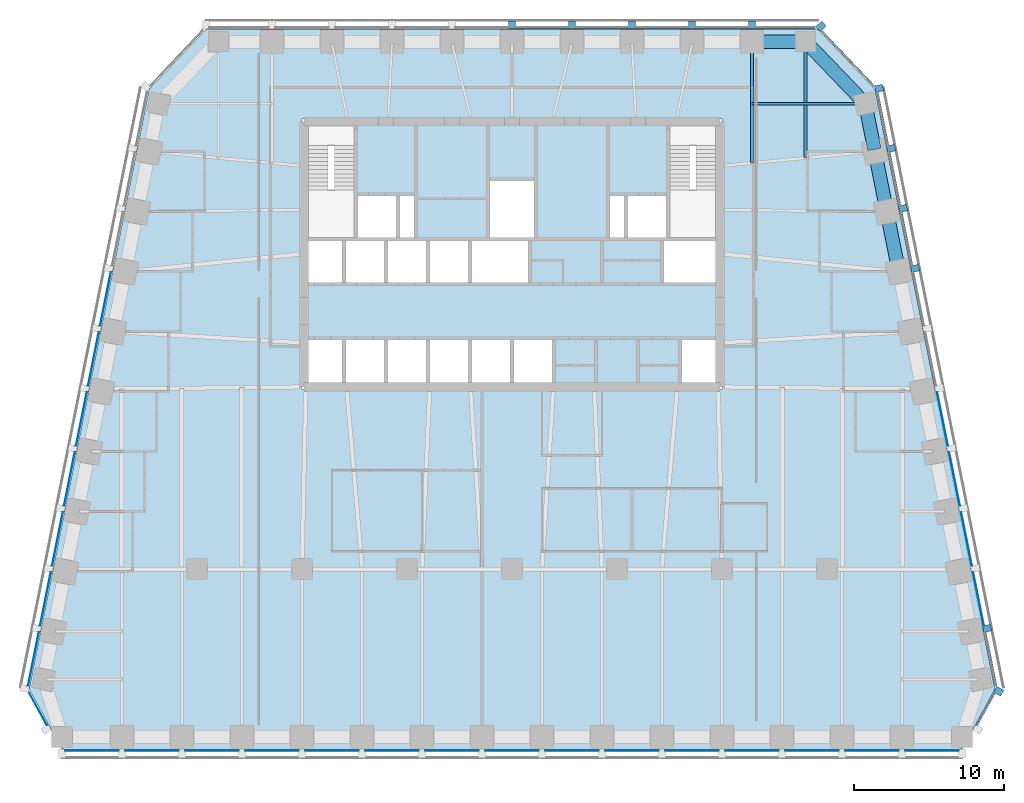
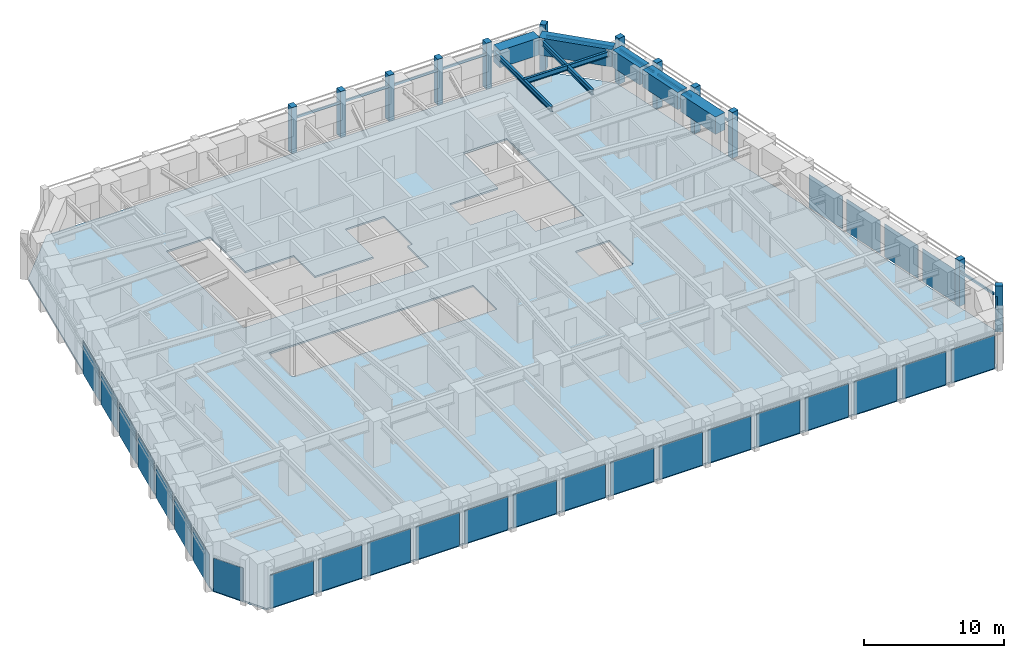
# One storey, part 4 of 10: 27 plates, 23 members, 8 beams, 1 slab, 7 elements without a shape of their own.
"""IFC4 building model written with IfcOpenShell, lengths in metres."""

from ifc_helpers import new_model, si_unit, direction, frame, origin, origin_2d, place, context, subcontext, project, spatial, polyline, rectangle, i_section, outline, extrude, material, layer, layer_set, material_profile, profile_set, type_object, element, aggregate, save


model = new_model("IFC4")

# Units and contexts
model_context = context("Model", 3, precision=1e-05, world=origin(), true_north=direction((0.0, 1.0)))
body_context = subcontext(model_context, "Body", "Model", "MODEL_VIEW")
ifc_project = project(units=[si_unit("LENGTHUNIT", "METRE"), si_unit("AREAUNIT", "SQUARE_METRE"), si_unit("VOLUMEUNIT", "CUBIC_METRE"), si_unit("PLANEANGLEUNIT", "RADIAN"), si_unit("MASSUNIT", "GRAM", prefix="KILO")], contexts=[model_context])

# Site, building, storey
site_placement = place(None, origin())
site = spatial("IfcSite", under=ifc_project, at=site_placement, CompositionType="ELEMENT")
building_placement = place(site_placement, origin())
building = spatial("IfcBuilding", under=site, at=building_placement, Name="Isbrekke Arena Tower", CompositionType="ELEMENT")
storey_placement = place(building_placement, frame((0.0, 0.0, 198.0)))
storey = spatial("IfcBuildingStorey", under=building, at=storey_placement, Name="L45", CompositionType="ELEMENT", Elevation=198.0)

# Beams
ifc_material_1 = material(Name="Steel S355", Category="steel")
ifc_material_profile_1 = material_profile(ifc_material_1, i_section(OverallWidth=0.18994140625, OverallDepth=0.449951171875, WebThickness=0.009521484375, FlangeThickness=0.0146484375, FilletRadius=0.02099609375, at=origin_2d()), Name="IPE 450")
ifc_profile_set_1 = profile_set([ifc_material_profile_1], Name="Steel S355")
beam_type_1 = type_object("IfcBeamType", Name="B2 IPE 450", PredefinedType="BEAM", material=ifc_profile_set_1)
beam_1_placement = place(storey_placement, frame((23.40283203125, 25.029296875, 3.625), z_axis=(-1.0, 0.0, 0.0), x_axis=(0.0, -1.0, 0.0)))
element("IfcBeam", 1, at=beam_1_placement, inside=storey, type_object=beam_type_1, Name="B2 beam E-E11 L45", PredefinedType="BEAM", context=body_context, shape_type="SweptSolid", body=[
    extrude(i_section(OverallWidth=0.18994140625, OverallDepth=0.449951171875, WebThickness=0.009521484375, FlangeThickness=0.0146484375, FilletRadius=0.02099609375, at=origin_2d()), origin(), (0.0, 0.0, 1.0), 7.40283203125),
])
ifc_material_2 = material(Name="Steel S355", Category="steel")
ifc_material_profile_2 = material_profile(ifc_material_2, i_section(OverallWidth=0.18994140625, OverallDepth=0.449951171875, WebThickness=0.009521484375, FlangeThickness=0.0146484375, FilletRadius=0.02099609375, at=origin_2d()), Name="IPE 450")
ifc_profile_set_2 = profile_set([ifc_material_profile_2], Name="Steel S355")
beam_type_2 = type_object("IfcBeamType", Name="B3 IPE 450", PredefinedType="BEAM", material=ifc_profile_set_2)
beam_2_placement = place(storey_placement, frame((19.574951171875, 29.02490234375, 3.625), z_axis=(0.0, -1.0, 0.0), x_axis=(1.0, 0.0, 0.0)))
element("IfcBeam", 2, at=beam_2_placement, inside=storey, type_object=beam_type_2, Name="B3 beam N-N01 L45", PredefinedType="BEAM", context=body_context, shape_type="SweptSolid", body=[
    extrude(i_section(OverallWidth=0.18994140625, OverallDepth=0.449951171875, WebThickness=0.009521484375, FlangeThickness=0.0146484375, FilletRadius=0.02099609375, at=origin_2d()), origin(), (0.0, 0.0, 1.0), 7.6103515625),
])
beam_3_placement = place(storey_placement, frame((16.0, 29.02490234375, 3.625), z_axis=(0.0, -1.0, 0.0), x_axis=(1.0, 0.0, 0.0)))
element("IfcBeam", 3, at=beam_3_placement, inside=storey, type_object=beam_type_2, Name="B3 beam N-N02 L45", PredefinedType="BEAM", context=body_context, shape_type="SweptSolid", body=[
    extrude(i_section(OverallWidth=0.18994140625, OverallDepth=0.449951171875, WebThickness=0.009521484375, FlangeThickness=0.0146484375, FilletRadius=0.02099609375, at=origin_2d()), origin(), (0.0, 0.0, 1.0), 7.949462890625),
])

# Curtain wall, member
ifc_material_3 = material(Name="Glazed aluminium curtain wall", Category="aluminium")
curtain_wall_type = type_object("IfcCurtainWallType", Name="CWH TOWER CURTAIN WALL HIGH ZONE", PredefinedType="USERDEFINED", material=ifc_material_3)
curtain_wall_1_placement = place(storey_placement, origin())
curtain_wall_1 = element("IfcCurtainWall", 4, at=curtain_wall_1_placement, inside=storey, type_object=curtain_wall_type, Name="CWH curtain wall L45-SE", ObjectType="TOWER CURTAIN WALL HIGH ZONE", PredefinedType="USERDEFINED")
ifc_material_4 = material(Name="Aluminium mullion, pale brick slip cladding", Category="masonry")
ifc_material_profile_3 = material_profile(ifc_material_4, rectangle(XDim=0.449951171875, YDim=0.550048828125, at=origin_2d()), Name="PIER 450X550")
ifc_profile_set_3 = profile_set([ifc_material_profile_3], Name="Aluminium mullion, pale brick slip cladding")
member_type_1 = type_object("IfcMemberType", Name="CWH-M PIER MULLION 450 x 550", PredefinedType="MULLION", material=ifc_profile_set_3)
member_1_placement = place(storey_placement, frame((32.44091796875, -14.132568359375, 0.0), z_axis=(0.0, 0.0, 1.0), x_axis=(0.481918749773, 0.876215908676, 0.0)))
member_1 = element("IfcMember", 5, at=member_1_placement, type_object=member_type_1, Name="CWH-M mullion 2", PredefinedType="MULLION", context=body_context, shape_type="SweptSolid", body=[
    extrude(rectangle(XDim=0.449951171875, YDim=0.550048828125, at=origin_2d()), origin(), (0.0, 0.0, 1.0), 4.0),
])

# Curtain wall, members
curtain_wall_2_placement = place(storey_placement, origin())
curtain_wall_2 = element("IfcCurtainWall", 6, at=curtain_wall_2_placement, inside=storey, type_object=curtain_wall_type, Name="CWH curtain wall L45-E", ObjectType="TOWER CURTAIN WALL HIGH ZONE", PredefinedType="USERDEFINED")
member_2_placement = place(storey_placement, frame((31.669677734375, -9.946044921875, 0.0), z_axis=(0.0, 0.0, 1.0), x_axis=(-0.196116135138, 0.980580675691, 0.0)))
member_2 = element("IfcMember", 7, at=member_2_placement, type_object=member_type_1, Name="CWH-M mullion 1", PredefinedType="MULLION", context=body_context, shape_type="SweptSolid", body=[
    extrude(rectangle(XDim=0.449951171875, YDim=0.550048828125, at=origin_2d()), origin(), (0.0, 0.0, 1.0), 4.0),
])
member_3_placement = place(storey_placement, frame((26.86962890625, 14.053955078125, 0.0), z_axis=(0.0, 0.0, 1.0), x_axis=(-0.196116135138, 0.980580675691, 0.0)))
member_3 = element("IfcMember", 8, at=member_3_placement, type_object=member_type_1, Name="CWH-M mullion 7", PredefinedType="MULLION", context=body_context, shape_type="SweptSolid", body=[
    extrude(rectangle(XDim=0.449951171875, YDim=0.550048828125, at=origin_2d()), origin(), (0.0, 0.0, 1.0), 4.0),
])
member_4_placement = place(storey_placement, frame((26.069580078125, 18.053955078125, 0.0), z_axis=(0.0, 0.0, 1.0), x_axis=(-0.196116135138, 0.980580675691, 0.0)))
member_4 = element("IfcMember", 9, at=member_4_placement, type_object=member_type_1, Name="CWH-M mullion 8", PredefinedType="MULLION", context=body_context, shape_type="SweptSolid", body=[
    extrude(rectangle(XDim=0.449951171875, YDim=0.550048828125, at=origin_2d()), origin(), (0.0, 0.0, 1.0), 4.0),
])
member_5_placement = place(storey_placement, frame((25.269775390625, 22.053955078125, 0.0), z_axis=(0.0, 0.0, 1.0), x_axis=(-0.196116135138, 0.980580675691, 0.0)))
member_5 = element("IfcMember", 10, at=member_5_placement, type_object=member_type_1, Name="CWH-M mullion 9", PredefinedType="MULLION", context=body_context, shape_type="SweptSolid", body=[
    extrude(rectangle(XDim=0.449951171875, YDim=0.550048828125, at=origin_2d()), origin(), (0.0, 0.0, 1.0), 4.0),
])
member_6_placement = place(storey_placement, frame((24.4697265625, 26.053955078125, 0.0), z_axis=(0.0, 0.0, 1.0), x_axis=(-0.196116135138, 0.980580675691, 0.0)))
member_6 = element("IfcMember", 11, at=member_6_placement, type_object=member_type_1, Name="CWH-M mullion 10", PredefinedType="MULLION", context=body_context, shape_type="SweptSolid", body=[
    extrude(rectangle(XDim=0.449951171875, YDim=0.550048828125, at=origin_2d()), origin(), (0.0, 0.0, 1.0), 4.0),
])

# Curtain wall, member
curtain_wall_3_placement = place(storey_placement, origin())
curtain_wall_3 = element("IfcCurtainWall", 12, at=curtain_wall_3_placement, inside=storey, type_object=curtain_wall_type, Name="CWH curtain wall L45-EN", ObjectType="TOWER CURTAIN WALL HIGH ZONE", PredefinedType="USERDEFINED")
member_7_placement = place(storey_placement, frame((20.599365234375, 30.189453125, 0.0), z_axis=(0.0, 0.0, 1.0), x_axis=(-0.68874946192, 0.72499943359, 0.0)))
member_7 = element("IfcMember", 13, at=member_7_placement, type_object=member_type_1, Name="CWH-M mullion 1", PredefinedType="MULLION", context=body_context, shape_type="SweptSolid", body=[
    extrude(rectangle(XDim=0.449951171875, YDim=0.550048828125, at=origin_2d()), origin(), (0.0, 0.0, 1.0), 4.0),
])

# Curtain wall, members
curtain_wall_4_placement = place(storey_placement, origin())
curtain_wall_4 = element("IfcCurtainWall", 14, at=curtain_wall_4_placement, inside=storey, type_object=curtain_wall_type, Name="CWH curtain wall L45-N", ObjectType="TOWER CURTAIN WALL HIGH ZONE", PredefinedType="USERDEFINED")
member_8_placement = place(storey_placement, frame((16.0, 30.27490234375, 0.0), z_axis=(0.0, 0.0, 1.0), x_axis=(-1.0, 0.0, 0.0)))
member_8 = element("IfcMember", 15, at=member_8_placement, type_object=member_type_1, Name="CWH-M mullion 1", PredefinedType="MULLION", context=body_context, shape_type="SweptSolid", body=[
    extrude(rectangle(XDim=0.449951171875, YDim=0.550048828125, at=origin_2d()), origin(), (0.0, 0.0, 1.0), 4.0),
])
member_9_placement = place(storey_placement, frame((12.0, 30.27490234375, 0.0), z_axis=(0.0, 0.0, 1.0), x_axis=(-1.0, 0.0, 0.0)))
member_9 = element("IfcMember", 16, at=member_9_placement, type_object=member_type_1, Name="CWH-M mullion 2", PredefinedType="MULLION", context=body_context, shape_type="SweptSolid", body=[
    extrude(rectangle(XDim=0.449951171875, YDim=0.550048828125, at=origin_2d()), origin(), (0.0, 0.0, 1.0), 4.0),
])
member_10_placement = place(storey_placement, frame((8.0, 30.27490234375, 0.0), z_axis=(0.0, 0.0, 1.0), x_axis=(-1.0, 0.0, 0.0)))
member_10 = element("IfcMember", 17, at=member_10_placement, type_object=member_type_1, Name="CWH-M mullion 3", PredefinedType="MULLION", context=body_context, shape_type="SweptSolid", body=[
    extrude(rectangle(XDim=0.449951171875, YDim=0.550048828125, at=origin_2d()), origin(), (0.0, 0.0, 1.0), 4.0),
])
member_11_placement = place(storey_placement, frame((4.0, 30.27490234375, 0.0), z_axis=(0.0, 0.0, 1.0), x_axis=(-1.0, 0.0, 0.0)))
member_11 = element("IfcMember", 18, at=member_11_placement, type_object=member_type_1, Name="CWH-M mullion 4", PredefinedType="MULLION", context=body_context, shape_type="SweptSolid", body=[
    extrude(rectangle(XDim=0.449951171875, YDim=0.550048828125, at=origin_2d()), origin(), (0.0, 0.0, 1.0), 4.0),
])
member_12_placement = place(storey_placement, frame((0.0, 30.27490234375, 0.0), z_axis=(0.0, 0.0, 1.0), x_axis=(-1.0, 0.0, 0.0)))
member_12 = element("IfcMember", 19, at=member_12_placement, type_object=member_type_1, Name="CWH-M mullion 5", PredefinedType="MULLION", context=body_context, shape_type="SweptSolid", body=[
    extrude(rectangle(XDim=0.449951171875, YDim=0.550048828125, at=origin_2d()), origin(), (0.0, 0.0, 1.0), 4.0),
])

# Member
ifc_material_5 = material(Name="Aluminium transom", Category="aluminium")
ifc_material_profile_4 = material_profile(ifc_material_5, rectangle(XDim=0.1201171875, YDim=0.199951171875, at=origin_2d()), Name="TRANSOM 120X200")
ifc_profile_set_4 = profile_set([ifc_material_profile_4], Name="Aluminium transom")
member_type_2 = type_object("IfcMemberType", Name="CWH-T TRANSOM 120 x 200", PredefinedType="USERDEFINED", material=ifc_profile_set_4)
member_13_placement = place(storey_placement, frame((31.002197265625, -16.38525390625, 3.0), z_axis=(0.481937937062, 0.876205355393, 0.0), x_axis=(-0.876205355393, 0.481937937062, 0.0)))
member_13 = element("IfcMember", 20, at=member_13_placement, type_object=member_type_2, Name="CWH-T transom 1", ObjectType="TRANSOM", PredefinedType="USERDEFINED", context=body_context, shape_type="SweptSolid", body=[
    extrude(rectangle(XDim=0.1201171875, YDim=0.199951171875, at=origin_2d()), origin(), (0.0, 0.0, 1.0), 2.442138671875),
])

aggregate(curtain_wall_1, [member_1, member_13])

member_14_placement = place(storey_placement, frame((32.25390625, -13.759765625, 3.0), z_axis=(-0.196090262229, 0.980585849918, 0.0), x_axis=(-0.980585849918, -0.196090262229, 0.0)))
member_14 = element("IfcMember", 21, at=member_14_placement, type_object=member_type_2, Name="CWH-T transom 1", ObjectType="TRANSOM", PredefinedType="USERDEFINED", context=body_context, shape_type="SweptSolid", body=[
    extrude(rectangle(XDim=0.1201171875, YDim=0.199951171875, at=origin_2d()), origin(), (0.0, 0.0, 1.0), 3.62939453125),
])

member_15_placement = place(storey_placement, frame((26.654052734375, 14.240234375, 3.0), z_axis=(-0.196154943734, 0.980572913173, 0.0), x_axis=(-0.980572913173, -0.196154943734, 0.0)))
member_15 = element("IfcMember", 22, at=member_15_placement, type_object=member_type_2, Name="CWH-T transom 8", ObjectType="TRANSOM", PredefinedType="USERDEFINED", context=body_context, shape_type="SweptSolid", body=[
    extrude(rectangle(XDim=0.1201171875, YDim=0.199951171875, at=origin_2d()), origin(), (0.0, 0.0, 1.0), 3.62939453125),
])

member_16_placement = place(storey_placement, frame((25.85400390625, 18.240234375, 3.0), z_axis=(-0.196154943734, 0.980572913173, 0.0), x_axis=(-0.980572913173, -0.196154943734, 0.0)))
member_16 = element("IfcMember", 23, at=member_16_placement, type_object=member_type_2, Name="CWH-T transom 9", ObjectType="TRANSOM", PredefinedType="USERDEFINED", context=body_context, shape_type="SweptSolid", body=[
    extrude(rectangle(XDim=0.1201171875, YDim=0.199951171875, at=origin_2d()), origin(), (0.0, 0.0, 1.0), 3.62939453125),
])

member_17_placement = place(storey_placement, frame((25.053955078125, 22.240234375, 3.0), z_axis=(-0.196090262229, 0.980585849918, 0.0), x_axis=(-0.980585849918, -0.196090262229, 0.0)))
member_17 = element("IfcMember", 24, at=member_17_placement, type_object=member_type_2, Name="CWH-T transom 10", ObjectType="TRANSOM", PredefinedType="USERDEFINED", context=body_context, shape_type="SweptSolid", body=[
    extrude(rectangle(XDim=0.1201171875, YDim=0.199951171875, at=origin_2d()), origin(), (0.0, 0.0, 1.0), 3.62939453125),
])

member_18_placement = place(storey_placement, frame((24.117431640625, 26.23193359375, 3.0), z_axis=(-0.688734266994, 0.725013868466, 0.0), x_axis=(-0.725013868466, -0.688734266994, 0.0)))
member_18 = element("IfcMember", 25, at=member_18_placement, type_object=member_type_2, Name="CWH-T transom 1", ObjectType="TRANSOM", PredefinedType="USERDEFINED", context=body_context, shape_type="SweptSolid", body=[
    extrude(rectangle(XDim=0.1201171875, YDim=0.199951171875, at=origin_2d()), origin(), (0.0, 0.0, 1.0), 5.067138671875),
])

aggregate(curtain_wall_3, [member_7, member_18])

member_19_placement = place(storey_placement, frame((20.175048828125, 30.10009765625, 3.0), z_axis=(-1.0, 0.0, 0.0), x_axis=(0.0, -1.0, 0.0)))
member_19 = element("IfcMember", 26, at=member_19_placement, type_object=member_type_2, Name="CWH-T transom 1", ObjectType="TRANSOM", PredefinedType="USERDEFINED", context=body_context, shape_type="SweptSolid", body=[
    extrude(rectangle(XDim=0.1201171875, YDim=0.199951171875, at=origin_2d()), origin(), (0.0, 0.0, 1.0), 3.949951171875),
])

member_20_placement = place(storey_placement, frame((15.77490234375, 30.10009765625, 3.0), z_axis=(-1.0, 0.0, 0.0), x_axis=(0.0, -1.0, 0.0)))
member_20 = element("IfcMember", 27, at=member_20_placement, type_object=member_type_2, Name="CWH-T transom 2", ObjectType="TRANSOM", PredefinedType="USERDEFINED", context=body_context, shape_type="SweptSolid", body=[
    extrude(rectangle(XDim=0.1201171875, YDim=0.199951171875, at=origin_2d()), origin(), (0.0, 0.0, 1.0), 3.5498046875),
])

member_21_placement = place(storey_placement, frame((11.77490234375, 30.10009765625, 3.0), z_axis=(-1.0, 0.0, 0.0), x_axis=(0.0, -1.0, 0.0)))
member_21 = element("IfcMember", 28, at=member_21_placement, type_object=member_type_2, Name="CWH-T transom 3", ObjectType="TRANSOM", PredefinedType="USERDEFINED", context=body_context, shape_type="SweptSolid", body=[
    extrude(rectangle(XDim=0.1201171875, YDim=0.199951171875, at=origin_2d()), origin(), (0.0, 0.0, 1.0), 3.5498046875),
])

member_22_placement = place(storey_placement, frame((7.77490234375, 30.10009765625, 3.0), z_axis=(-1.0, 0.0, 0.0), x_axis=(0.0, -1.0, 0.0)))
member_22 = element("IfcMember", 29, at=member_22_placement, type_object=member_type_2, Name="CWH-T transom 4", ObjectType="TRANSOM", PredefinedType="USERDEFINED", context=body_context, shape_type="SweptSolid", body=[
    extrude(rectangle(XDim=0.1201171875, YDim=0.199951171875, at=origin_2d()), origin(), (0.0, 0.0, 1.0), 3.5498046875),
])

member_23_placement = place(storey_placement, frame((3.77490234375, 30.10009765625, 3.0), z_axis=(-1.0, 0.0, 0.0), x_axis=(0.0, -1.0, 0.0)))
member_23 = element("IfcMember", 30, at=member_23_placement, type_object=member_type_2, Name="CWH-T transom 5", ObjectType="TRANSOM", PredefinedType="USERDEFINED", context=body_context, shape_type="SweptSolid", body=[
    extrude(rectangle(XDim=0.1201171875, YDim=0.199951171875, at=origin_2d()), origin(), (0.0, 0.0, 1.0), 3.5498046875),
])

aggregate(curtain_wall_4, [member_8, member_9, member_10, member_11, member_12, member_19, member_20, member_21, member_22, member_23])

# Beams
ifc_material_6 = material(Name="Concrete B65 (C65/80)", Category="concrete")
ifc_material_profile_5 = material_profile(ifc_material_6, rectangle(XDim=0.89990234375, YDim=1.5, at=origin_2d()), Name="RC 900x1500")
ifc_profile_set_5 = profile_set([ifc_material_profile_5], Name="Concrete B65 (C65/80)")
beam_type_3 = type_object("IfcBeamType", Name="SB3 RC 900 x 1500", PredefinedType="SPANDREL", material=ifc_profile_set_5)
for number, where, z_axis, x_axis, name in (
    (31, (25.76171875, 13.9853515625, 3.25), (-0.196128558387, 0.980578190959, 0.0), (-0.980578190959, -0.196128558387, 0.0), "SB3 spandrel E08-E09 L45"),
    (32, (24.961669921875, 17.9853515625, 3.25), (-0.196128558387, 0.980578190959, 0.0), (-0.980578190959, -0.196128558387, 0.0), "SB3 spandrel E09-E10 L45"),
):
    element("IfcBeam", number, at=place(storey_placement, frame(where, z_axis=z_axis, x_axis=x_axis)), inside=storey, type_object=beam_type_3, Name=name, PredefinedType="SPANDREL", context=body_context, shape_type="SweptSolid", body=[
        extrude(rectangle(XDim=0.89990234375, YDim=1.5, at=origin_2d()), origin(), (0.0, 0.0, 1.0), 3.779296875),
    ])
beam_4_placement = place(storey_placement, frame((24.16162109375, 21.9853515625, 3.25), z_axis=(-0.196116135138, 0.980580675691, 0.0), x_axis=(-0.980580675691, -0.196116135138, 0.0)))
element("IfcBeam", 33, at=beam_4_placement, inside=storey, type_object=beam_type_3, Name="SB3 spandrel E10-E11 L45", PredefinedType="SPANDREL", context=body_context, shape_type="SweptSolid", body=[
    extrude(rectangle(XDim=0.89990234375, YDim=1.5, at=origin_2d()), origin(), (0.0, 0.0, 1.0), 2.9541015625),
])
beam_5_placement = place(storey_placement, frame((23.448974609375, 25.137451171875, 3.25), z_axis=(-0.692339547635, 0.721571861134, 0.0), x_axis=(-0.721571861134, -0.692339547635, 0.0)))
element("IfcBeam", 34, at=beam_5_placement, inside=storey, type_object=beam_type_3, Name="SB3 spandrel E11-N01 L45", PredefinedType="SPANDREL", context=body_context, shape_type="SweptSolid", body=[
    extrude(rectangle(XDim=0.89990234375, YDim=1.5, at=origin_2d()), origin(), (0.0, 0.0, 1.0), 5.4453125),
])
beam_6_placement = place(storey_placement, frame((19.425048828125, 29.175048828125, 3.25), z_axis=(-1.0, 0.0, 0.0), x_axis=(0.0, -1.0, 0.0)))
element("IfcBeam", 35, at=beam_6_placement, inside=storey, type_object=beam_type_3, Name="SB3 spandrel N01-N02 L45", PredefinedType="SPANDREL", context=body_context, shape_type="SweptSolid", body=[
    extrude(rectangle(XDim=0.89990234375, YDim=1.5, at=origin_2d()), origin(), (0.0, 0.0, 1.0), 3.275146484375),
])

# Curtain wall, plates
curtain_wall_5_placement = place(storey_placement, origin())
curtain_wall_5 = element("IfcCurtainWall", 36, at=curtain_wall_5_placement, inside=storey, type_object=curtain_wall_type, Name="CWH curtain wall L45-S", ObjectType="TOWER CURTAIN WALL HIGH ZONE", PredefinedType="USERDEFINED")
ifc_material_7 = material(Name="Triple-glazed clear glass unit", Category="glass")
ifc_layer_1 = layer(ifc_material_7, 0.031982421875)
ifc_layer_set_1 = layer_set([ifc_layer_1], Name="CWH-P VISION PANEL")
plate_type = type_object("IfcPlateType", Name="CWH-P VISION PANEL", PredefinedType="CURTAIN_PANEL", material=ifc_layer_set_1)
plate_1_placement = place(storey_placement, frame((-28.0, -18.10009765625, 0.02001953125), z_axis=(0.0, 0.0, 1.0), x_axis=(1.0, 0.0, 0.0)))
plate_1 = element("IfcPlate", 37, at=plate_1_placement, type_object=plate_type, Name="CWH-P panel 1", PredefinedType="CURTAIN_PANEL", context=body_context, shape_type="SweptSolid", body=[
    extrude(rectangle(XDim=3.550048828125, YDim=0.031982421875, at=origin_2d()), origin(), (0.0, 0.0, 1.0), 2.8798828125),
])
plate_2_placement = place(storey_placement, frame((-24.0, -18.10009765625, 0.02001953125), z_axis=(0.0, 0.0, 1.0), x_axis=(1.0, 0.0, 0.0)))
plate_2 = element("IfcPlate", 38, at=plate_2_placement, type_object=plate_type, Name="CWH-P panel 2", PredefinedType="CURTAIN_PANEL", context=body_context, shape_type="SweptSolid", body=[
    extrude(rectangle(XDim=3.550048828125, YDim=0.031982421875, at=origin_2d()), origin(), (0.0, 0.0, 1.0), 2.8798828125),
])
plate_3_placement = place(storey_placement, frame((-20.0, -18.10009765625, 0.02001953125), z_axis=(0.0, 0.0, 1.0), x_axis=(1.0, 0.0, 0.0)))
plate_3 = element("IfcPlate", 39, at=plate_3_placement, type_object=plate_type, Name="CWH-P panel 3", PredefinedType="CURTAIN_PANEL", context=body_context, shape_type="SweptSolid", body=[
    extrude(rectangle(XDim=3.550048828125, YDim=0.031982421875, at=origin_2d()), origin(), (0.0, 0.0, 1.0), 2.8798828125),
])
plate_4_placement = place(storey_placement, frame((-16.0, -18.10009765625, 0.02001953125), z_axis=(0.0, 0.0, 1.0), x_axis=(1.0, 0.0, 0.0)))
plate_4 = element("IfcPlate", 40, at=plate_4_placement, type_object=plate_type, Name="CWH-P panel 4", PredefinedType="CURTAIN_PANEL", context=body_context, shape_type="SweptSolid", body=[
    extrude(rectangle(XDim=3.550048828125, YDim=0.031982421875, at=origin_2d()), origin(), (0.0, 0.0, 1.0), 2.8798828125),
])
plate_5_placement = place(storey_placement, frame((-12.0, -18.10009765625, 0.02001953125), z_axis=(0.0, 0.0, 1.0), x_axis=(1.0, 0.0, 0.0)))
plate_5 = element("IfcPlate", 41, at=plate_5_placement, type_object=plate_type, Name="CWH-P panel 5", PredefinedType="CURTAIN_PANEL", context=body_context, shape_type="SweptSolid", body=[
    extrude(rectangle(XDim=3.550048828125, YDim=0.031982421875, at=origin_2d()), origin(), (0.0, 0.0, 1.0), 2.8798828125),
])
plate_6_placement = place(storey_placement, frame((-8.0, -18.10009765625, 0.02001953125), z_axis=(0.0, 0.0, 1.0), x_axis=(1.0, 0.0, 0.0)))
plate_6 = element("IfcPlate", 42, at=plate_6_placement, type_object=plate_type, Name="CWH-P panel 6", PredefinedType="CURTAIN_PANEL", context=body_context, shape_type="SweptSolid", body=[
    extrude(rectangle(XDim=3.550048828125, YDim=0.031982421875, at=origin_2d()), origin(), (0.0, 0.0, 1.0), 2.8798828125),
])
plate_7_placement = place(storey_placement, frame((-4.0, -18.10009765625, 0.02001953125), z_axis=(0.0, 0.0, 1.0), x_axis=(1.0, 0.0, 0.0)))
plate_7 = element("IfcPlate", 43, at=plate_7_placement, type_object=plate_type, Name="CWH-P panel 7", PredefinedType="CURTAIN_PANEL", context=body_context, shape_type="SweptSolid", body=[
    extrude(rectangle(XDim=3.550048828125, YDim=0.031982421875, at=origin_2d()), origin(), (0.0, 0.0, 1.0), 2.8798828125),
])
plate_8_placement = place(storey_placement, frame((0.0, -18.10009765625, 0.02001953125), z_axis=(0.0, 0.0, 1.0), x_axis=(1.0, 0.0, 0.0)))
plate_8 = element("IfcPlate", 44, at=plate_8_placement, type_object=plate_type, Name="CWH-P panel 8", PredefinedType="CURTAIN_PANEL", context=body_context, shape_type="SweptSolid", body=[
    extrude(rectangle(XDim=3.550048828125, YDim=0.031982421875, at=origin_2d()), origin(), (0.0, 0.0, 1.0), 2.8798828125),
])
plate_9_placement = place(storey_placement, frame((4.0, -18.10009765625, 0.02001953125), z_axis=(0.0, 0.0, 1.0), x_axis=(1.0, 0.0, 0.0)))
plate_9 = element("IfcPlate", 45, at=plate_9_placement, type_object=plate_type, Name="CWH-P panel 9", PredefinedType="CURTAIN_PANEL", context=body_context, shape_type="SweptSolid", body=[
    extrude(rectangle(XDim=3.550048828125, YDim=0.031982421875, at=origin_2d()), origin(), (0.0, 0.0, 1.0), 2.8798828125),
])
plate_10_placement = place(storey_placement, frame((8.0, -18.10009765625, 0.02001953125), z_axis=(0.0, 0.0, 1.0), x_axis=(1.0, 0.0, 0.0)))
plate_10 = element("IfcPlate", 46, at=plate_10_placement, type_object=plate_type, Name="CWH-P panel 10", PredefinedType="CURTAIN_PANEL", context=body_context, shape_type="SweptSolid", body=[
    extrude(rectangle(XDim=3.550048828125, YDim=0.031982421875, at=origin_2d()), origin(), (0.0, 0.0, 1.0), 2.8798828125),
])
plate_11_placement = place(storey_placement, frame((12.0, -18.10009765625, 0.02001953125), z_axis=(0.0, 0.0, 1.0), x_axis=(1.0, 0.0, 0.0)))
plate_11 = element("IfcPlate", 47, at=plate_11_placement, type_object=plate_type, Name="CWH-P panel 11", PredefinedType="CURTAIN_PANEL", context=body_context, shape_type="SweptSolid", body=[
    extrude(rectangle(XDim=3.550048828125, YDim=0.031982421875, at=origin_2d()), origin(), (0.0, 0.0, 1.0), 2.8798828125),
])
plate_12_placement = place(storey_placement, frame((16.0, -18.10009765625, 0.02001953125), z_axis=(0.0, 0.0, 1.0), x_axis=(1.0, 0.0, 0.0)))
plate_12 = element("IfcPlate", 48, at=plate_12_placement, type_object=plate_type, Name="CWH-P panel 12", PredefinedType="CURTAIN_PANEL", context=body_context, shape_type="SweptSolid", body=[
    extrude(rectangle(XDim=3.550048828125, YDim=0.031982421875, at=origin_2d()), origin(), (0.0, 0.0, 1.0), 2.8798828125),
])
plate_13_placement = place(storey_placement, frame((20.0, -18.10009765625, 0.02001953125), z_axis=(0.0, 0.0, 1.0), x_axis=(1.0, 0.0, 0.0)))
plate_13 = element("IfcPlate", 49, at=plate_13_placement, type_object=plate_type, Name="CWH-P panel 13", PredefinedType="CURTAIN_PANEL", context=body_context, shape_type="SweptSolid", body=[
    extrude(rectangle(XDim=3.550048828125, YDim=0.031982421875, at=origin_2d()), origin(), (0.0, 0.0, 1.0), 2.8798828125),
])
plate_14_placement = place(storey_placement, frame((24.0, -18.10009765625, 0.02001953125), z_axis=(0.0, 0.0, 1.0), x_axis=(1.0, 0.0, 0.0)))
plate_14 = element("IfcPlate", 50, at=plate_14_placement, type_object=plate_type, Name="CWH-P panel 14", PredefinedType="CURTAIN_PANEL", context=body_context, shape_type="SweptSolid", body=[
    extrude(rectangle(XDim=3.550048828125, YDim=0.031982421875, at=origin_2d()), origin(), (0.0, 0.0, 1.0), 2.8798828125),
])
plate_15_placement = place(storey_placement, frame((28.0, -18.10009765625, 0.02001953125), z_axis=(0.0, 0.0, 1.0), x_axis=(1.0, 0.0, 0.0)))
plate_15 = element("IfcPlate", 51, at=plate_15_placement, type_object=plate_type, Name="CWH-P panel 15", PredefinedType="CURTAIN_PANEL", context=body_context, shape_type="SweptSolid", body=[
    extrude(rectangle(XDim=3.550048828125, YDim=0.031982421875, at=origin_2d()), origin(), (0.0, 0.0, 1.0), 2.8798828125),
])
aggregate(curtain_wall_5, [plate_1, plate_2, plate_3, plate_4, plate_5, plate_6, plate_7, plate_8, plate_9, plate_10, plate_11, plate_12, plate_13, plate_14, plate_15])

# Plate
plate_16_placement = place(storey_placement, frame((31.09814453125, -7.98046875, 0.02001953125), z_axis=(0.0, 0.0, 1.0), x_axis=(-0.196116135138, 0.980580675691, 0.0)))
plate_16 = element("IfcPlate", 52, at=plate_16_placement, type_object=plate_type, Name="CWH-P panel 2", PredefinedType="CURTAIN_PANEL", context=body_context, shape_type="SweptSolid", body=[
    extrude(rectangle(XDim=3.629150390625, YDim=0.031982421875, at=origin_2d()), origin(), (0.0, 0.0, 1.0), 2.8798828125),
])

plate_17_placement = place(storey_placement, frame((30.298095703125, -3.98046875, 0.02001953125), z_axis=(0.0, 0.0, 1.0), x_axis=(-0.196116135138, 0.980580675691, 0.0)))
plate_17 = element("IfcPlate", 53, at=plate_17_placement, type_object=plate_type, Name="CWH-P panel 3", PredefinedType="CURTAIN_PANEL", context=body_context, shape_type="SweptSolid", body=[
    extrude(rectangle(XDim=3.629150390625, YDim=0.031982421875, at=origin_2d()), origin(), (0.0, 0.0, 1.0), 2.8798828125),
])

plate_18_placement = place(storey_placement, frame((29.498046875, 0.01953125, 0.02001953125), z_axis=(0.0, 0.0, 1.0), x_axis=(-0.196116135138, 0.980580675691, 0.0)))
plate_18 = element("IfcPlate", 54, at=plate_18_placement, type_object=plate_type, Name="CWH-P panel 4", PredefinedType="CURTAIN_PANEL", context=body_context, shape_type="SweptSolid", body=[
    extrude(rectangle(XDim=3.629150390625, YDim=0.031982421875, at=origin_2d()), origin(), (0.0, 0.0, 1.0), 2.8798828125),
])

plate_19_placement = place(storey_placement, frame((28.697998046875, 4.01953125, 0.02001953125), z_axis=(0.0, 0.0, 1.0), x_axis=(-0.196116135138, 0.980580675691, 0.0)))
plate_19 = element("IfcPlate", 55, at=plate_19_placement, type_object=plate_type, Name="CWH-P panel 5", PredefinedType="CURTAIN_PANEL", context=body_context, shape_type="SweptSolid", body=[
    extrude(rectangle(XDim=3.629150390625, YDim=0.031982421875, at=origin_2d()), origin(), (0.0, 0.0, 1.0), 2.8798828125),
])

aggregate(curtain_wall_2, [member_2, member_3, member_4, member_5, member_6, member_14, plate_16, plate_17, plate_18, plate_19, member_15, member_16, member_17])

# Curtain wall, plates
curtain_wall_6_placement = place(storey_placement, origin())
curtain_wall_6 = element("IfcCurtainWall", 56, at=curtain_wall_6_placement, inside=storey, type_object=curtain_wall_type, Name="CWH curtain wall L45-W", ObjectType="TOWER CURTAIN WALL HIGH ZONE", PredefinedType="USERDEFINED")
plate_20_placement = place(storey_placement, frame((-27.09814453125, 12.01953125, 0.02001953125), z_axis=(0.0, 0.0, 1.0), x_axis=(-0.196116135138, -0.980580675691, 0.0)))
plate_20 = element("IfcPlate", 57, at=plate_20_placement, type_object=plate_type, Name="CWH-P panel 4", PredefinedType="CURTAIN_PANEL", context=body_context, shape_type="SweptSolid", body=[
    extrude(rectangle(XDim=3.629150390625, YDim=0.031982421875, at=origin_2d()), origin(), (0.0, 0.0, 1.0), 2.8798828125),
])
plate_21_placement = place(storey_placement, frame((-27.89794921875, 8.01953125, 0.02001953125), z_axis=(0.0, 0.0, 1.0), x_axis=(-0.196116135138, -0.980580675691, 0.0)))
plate_21 = element("IfcPlate", 58, at=plate_21_placement, type_object=plate_type, Name="CWH-P panel 5", PredefinedType="CURTAIN_PANEL", context=body_context, shape_type="SweptSolid", body=[
    extrude(rectangle(XDim=3.629150390625, YDim=0.031982421875, at=origin_2d()), origin(), (0.0, 0.0, 1.0), 2.8798828125),
])
plate_22_placement = place(storey_placement, frame((-28.697998046875, 4.01953125, 0.02001953125), z_axis=(0.0, 0.0, 1.0), x_axis=(-0.196116135138, -0.980580675691, 0.0)))
plate_22 = element("IfcPlate", 59, at=plate_22_placement, type_object=plate_type, Name="CWH-P panel 6", PredefinedType="CURTAIN_PANEL", context=body_context, shape_type="SweptSolid", body=[
    extrude(rectangle(XDim=3.629150390625, YDim=0.031982421875, at=origin_2d()), origin(), (0.0, 0.0, 1.0), 2.8798828125),
])
plate_23_placement = place(storey_placement, frame((-29.498046875, 0.01953125, 0.02001953125), z_axis=(0.0, 0.0, 1.0), x_axis=(-0.196116135138, -0.980580675691, 0.0)))
plate_23 = element("IfcPlate", 60, at=plate_23_placement, type_object=plate_type, Name="CWH-P panel 7", PredefinedType="CURTAIN_PANEL", context=body_context, shape_type="SweptSolid", body=[
    extrude(rectangle(XDim=3.629150390625, YDim=0.031982421875, at=origin_2d()), origin(), (0.0, 0.0, 1.0), 2.8798828125),
])
plate_24_placement = place(storey_placement, frame((-30.298095703125, -3.98046875, 0.02001953125), z_axis=(0.0, 0.0, 1.0), x_axis=(-0.196116135138, -0.980580675691, 0.0)))
plate_24 = element("IfcPlate", 61, at=plate_24_placement, type_object=plate_type, Name="CWH-P panel 8", PredefinedType="CURTAIN_PANEL", context=body_context, shape_type="SweptSolid", body=[
    extrude(rectangle(XDim=3.629150390625, YDim=0.031982421875, at=origin_2d()), origin(), (0.0, 0.0, 1.0), 2.8798828125),
])
plate_25_placement = place(storey_placement, frame((-31.09814453125, -7.98046875, 0.02001953125), z_axis=(0.0, 0.0, 1.0), x_axis=(-0.196116135138, -0.980580675691, 0.0)))
plate_25 = element("IfcPlate", 62, at=plate_25_placement, type_object=plate_type, Name="CWH-P panel 9", PredefinedType="CURTAIN_PANEL", context=body_context, shape_type="SweptSolid", body=[
    extrude(rectangle(XDim=3.629150390625, YDim=0.031982421875, at=origin_2d()), origin(), (0.0, 0.0, 1.0), 2.8798828125),
])
plate_26_placement = place(storey_placement, frame((-31.89794921875, -11.98046875, 0.02001953125), z_axis=(0.0, 0.0, 1.0), x_axis=(-0.196116135138, -0.980580675691, 0.0)))
plate_26 = element("IfcPlate", 63, at=plate_26_placement, type_object=plate_type, Name="CWH-P panel 10", PredefinedType="CURTAIN_PANEL", context=body_context, shape_type="SweptSolid", body=[
    extrude(rectangle(XDim=3.629150390625, YDim=0.031982421875, at=origin_2d()), origin(), (0.0, 0.0, 1.0), 2.8798828125),
])
aggregate(curtain_wall_6, [plate_20, plate_21, plate_22, plate_23, plate_24, plate_25, plate_26])

# Curtain wall, plate
curtain_wall_7_placement = place(storey_placement, origin())
curtain_wall_7 = element("IfcCurtainWall", 64, at=curtain_wall_7_placement, inside=storey, type_object=curtain_wall_type, Name="CWH curtain wall L45-WS", ObjectType="TOWER CURTAIN WALL HIGH ZONE", PredefinedType="USERDEFINED")
plate_27_placement = place(storey_placement, frame((-31.59033203125, -15.31591796875, 0.02001953125), z_axis=(0.0, 0.0, 1.0), x_axis=(0.481918749773, -0.876215908676, 0.0)))
plate_27 = element("IfcPlate", 65, at=plate_27_placement, type_object=plate_type, Name="CWH-P panel 1", PredefinedType="CURTAIN_PANEL", context=body_context, shape_type="SweptSolid", body=[
    extrude(rectangle(XDim=2.443603515625, YDim=0.031982421875, at=origin_2d()), origin(), (0.0, 0.0, 1.0), 2.8798828125),
])
aggregate(curtain_wall_7, [plate_27])

# Slab
ifc_material_8 = material(Name="Concrete B35 (C35/45)", Category="concrete")
ifc_layer_2 = layer(ifc_material_8, 0.14990234375)
ifc_layer_set_2 = layer_set([ifc_layer_2], Name="FS1 COMPOSITE FLOOR 150")
slab_type = type_object("IfcSlabType", Name="FS1 COMPOSITE FLOOR 150", PredefinedType="FLOOR", material=ifc_layer_set_2)
slab_placement = place(storey_placement, frame((0.0, 0.0, -0.14990234375)))
element("IfcSlab", 66, at=slab_placement, inside=storey, type_object=slab_type, Name="FS1 floor slab L45", PredefinedType="FLOOR", context=body_context, shape_type="SweptSolid", body=[
    extrude(outline(polyline([(-30.0, -18.0), (30.0, -18.0), (32.199951171875, -14.0), (24.199951171875, 26.0), (20.39990234375, 30.0), (-20.39990234375, 30.0), (-24.199951171875, 26.0), (-32.199951171875, -14.0), (-30.0, -18.0)]), holes=[polyline([(2.800048828125, 9.39990234375), (2.800048828125, 6.0), (-14.0, 6.0), (-14.0, 9.39990234375), (2.800048828125, 9.39990234375)]), polyline([(11.199951171875, 6.0), (11.199951171875, 9.39990234375), (14.0, 9.39990234375), (14.0, 6.0), (11.199951171875, 6.0)]), polyline([(-14.0, 13.0), (-14.0, 24.0), (-10.39990234375, 24.0), (-10.39990234375, 19.0), (-6.39990234375, 19.0), (-6.39990234375, 16.0), (-1.60009765625, 16.0), (-1.60009765625, 20.0), (1.60009765625, 20.0), (1.60009765625, 16.0), (1.199951171875, 16.0), (1.199951171875, 13.0), (-14.0, 13.0)]), polyline([(10.0, 13.0), (10.0, 16.0), (6.39990234375, 16.0), (6.39990234375, 19.0), (10.39990234375, 19.0), (10.39990234375, 24.0), (14.0, 24.0), (14.0, 13.0), (10.0, 13.0)])]), origin(), (0.0, 0.0, 1.0), 0.14990234375),
])

save(model, "model.ifc")
